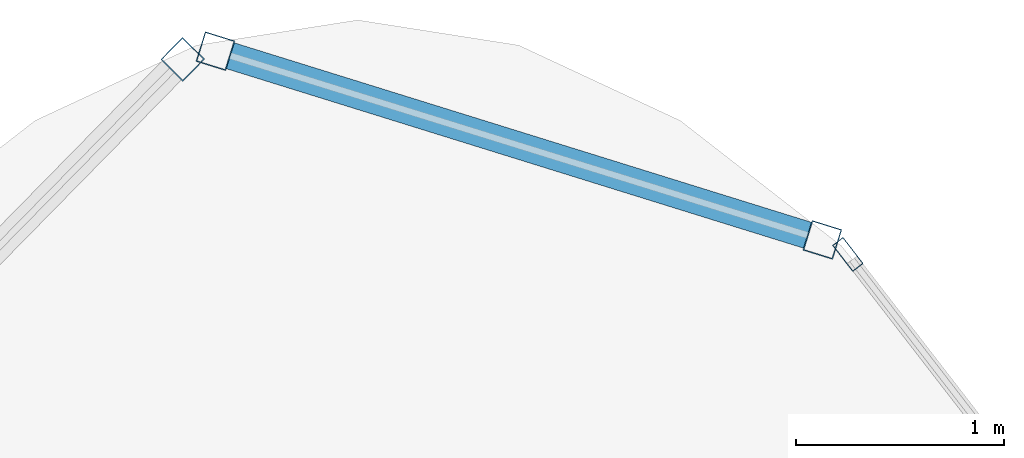
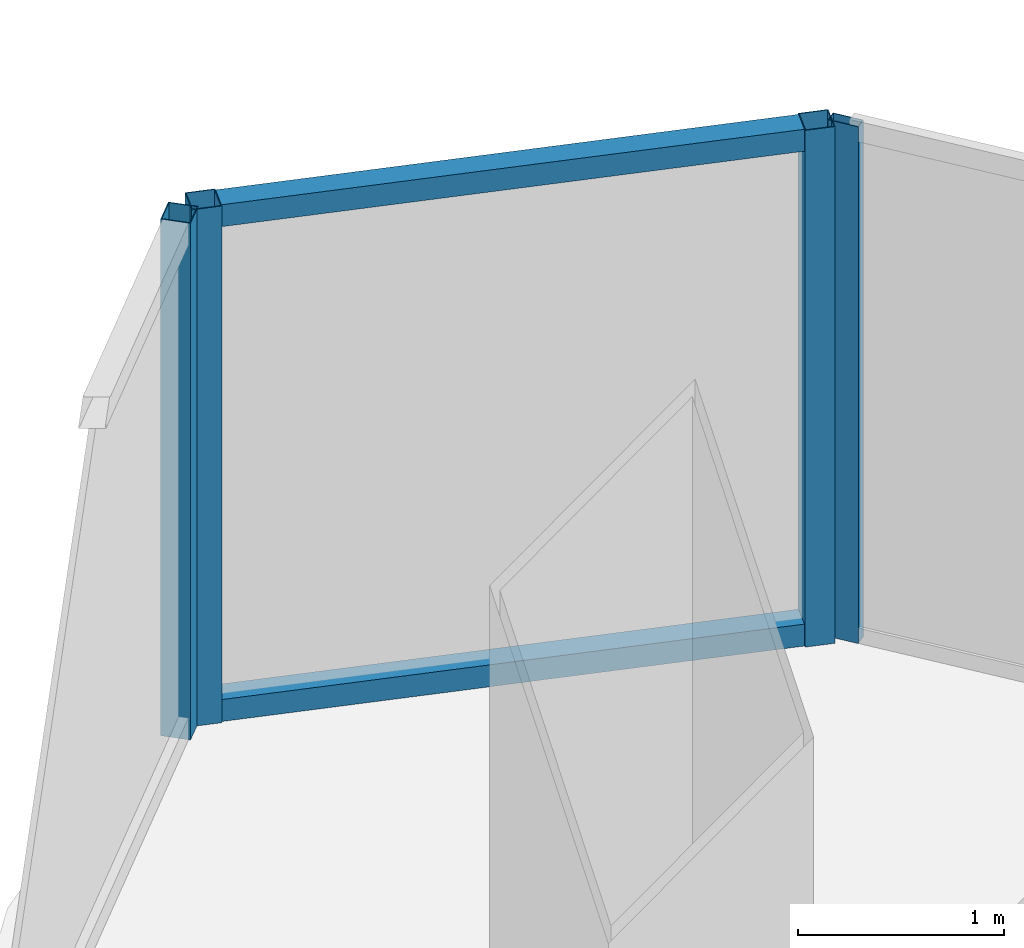
# One storey, part 23 of 28: 6 members, 3 elements without a shape of their own.
"""IFC4 building model written with IfcOpenShell, lengths in metres."""

from ifc_helpers import new_model, si_unit, direction, frame, origin, origin_2d, place, context, subcontext, project, spatial, hollow_rectangle, extrude, material, layer, layer_set, material_profile, profile_set, type_object, element, aggregate, save


model = new_model("IFC4")

# Units and contexts
model_context = context("Model", 3, precision=1e-05, world=origin(), true_north=direction((0.0, 1.0)))
body_context = subcontext(model_context, "Body", "Model", "MODEL_VIEW")
ifc_project = project(units=[si_unit("LENGTHUNIT", "METRE"), si_unit("AREAUNIT", "SQUARE_METRE"), si_unit("VOLUMEUNIT", "CUBIC_METRE"), si_unit("PLANEANGLEUNIT", "RADIAN"), si_unit("MASSUNIT", "GRAM", prefix="KILO")], contexts=[model_context])

# Site, building, storey
site_placement = place(None, origin())
site = spatial("IfcSite", under=ifc_project, at=site_placement, CompositionType="ELEMENT")
building_placement = place(site_placement, origin())
building = spatial("IfcBuilding", under=site, at=building_placement, Name="Orvanel Arch Residences", CompositionType="ELEMENT")
storey_placement = place(building_placement, frame((0.0, 0.0, 263.449951171875)))
storey = spatial("IfcBuildingStorey", under=building, at=storey_placement, Name="L75", CompositionType="ELEMENT", Elevation=263.449951171875)

# Curtain wall, members
ifc_material = material(Name="Bronze-anodised aluminium AA6063-T6", Category="aluminium")
ifc_layer_1 = layer(ifc_material, 0.18994140625)
ifc_layer_set_1 = layer_set([ifc_layer_1], Name="Bronze-anodised aluminium AA6063-T6")
curtain_wall_type_1 = type_object("IfcCurtainWallType", Name="CW5-CRN-SYS", PredefinedType="NOTDEFINED", material=ifc_layer_set_1)
curtain_wall_1_placement = place(storey_placement, origin())
curtain_wall_1 = element("IfcCurtainWall", 1, at=curtain_wall_1_placement, inside=storey, type_object=curtain_wall_type_1, Name="L75 CW5-CRN-SYS Unitised Curtain Wall", PredefinedType="NOTDEFINED")
ifc_material_profile_1 = material_profile(ifc_material, hollow_rectangle(XDim=0.14990234375, YDim=0.14990234375, WallThickness=0.0048828125, at=origin_2d()), Name="ALU150x150x5")
ifc_profile_set_1 = profile_set([ifc_material_profile_1], Name="Bronze-anodised aluminium AA6063-T6")
member_type_1 = type_object("IfcMemberType", Name="MUL-150x150", PredefinedType="MULLION", material=ifc_profile_set_1)
member_1_placement = place(storey_placement, frame((35.2294921875, 43.6591796875, 0.0), z_axis=(0.0, 0.0, 1.0), x_axis=(-0.296939890194, -0.95489617321, 0.0)))
member_1 = element("IfcMember", 2, at=member_1_placement, type_object=member_type_1, Name="CW-S5 mullion 1", PredefinedType="MULLION", context=body_context, shape_type="SweptSolid", body=[
    extrude(hollow_rectangle(XDim=0.14990234375, YDim=0.14990234375, WallThickness=0.0048828125, at=origin_2d()), origin(), (0.0, 0.0, 1.0), 3.06005859375),
])
member_2_placement = place(storey_placement, frame((32.317626953125, 44.564697265625, 0.0), z_axis=(0.0, 0.0, 1.0), x_axis=(-0.296939890194, -0.95489617321, 0.0)))
member_2 = element("IfcMember", 3, at=member_2_placement, type_object=member_type_1, Name="CW-S5 mullion 2", PredefinedType="MULLION", context=body_context, shape_type="SweptSolid", body=[
    extrude(hollow_rectangle(XDim=0.14990234375, YDim=0.14990234375, WallThickness=0.0048828125, at=origin_2d()), origin(), (0.0, 0.0, 1.0), 3.06005859375),
])

# Curtain wall, member
curtain_wall_2_placement = place(storey_placement, origin())
curtain_wall_2 = element("IfcCurtainWall", 4, at=curtain_wall_2_placement, inside=storey, type_object=curtain_wall_type_1, Name="L75 CW5-CRN-SYS Unitised Curtain Wall", PredefinedType="NOTDEFINED")
member_3_placement = place(storey_placement, frame((32.160400390625, 44.525390625, 0.0), z_axis=(0.0, 0.0, 1.0), x_axis=(0.713621357138, -0.700531625722, 0.0)))
member_3 = element("IfcMember", 5, at=member_3_placement, type_object=member_type_1, Name="CW-S5 mullion 1", PredefinedType="MULLION", context=body_context, shape_type="SweptSolid", body=[
    extrude(hollow_rectangle(XDim=0.14990234375, YDim=0.14990234375, WallThickness=0.0048828125, at=origin_2d()), origin(), (0.0, 0.0, 1.0), 3.06005859375),
])
aggregate(curtain_wall_2, [member_3])

ifc_layer_2 = layer(ifc_material, 0.175048828125)
ifc_layer_set_2 = layer_set([ifc_layer_2], Name="Bronze-anodised aluminium AA6063-T6")
curtain_wall_type_2 = type_object("IfcCurtainWallType", Name="CW4-HI-SYS", PredefinedType="NOTDEFINED", material=ifc_layer_set_2)
curtain_wall_3_placement = place(storey_placement, origin())
curtain_wall_3 = element("IfcCurtainWall", 6, at=curtain_wall_3_placement, inside=storey, type_object=curtain_wall_type_2, Name="L75 CW4-HI-SYS Unitised Curtain Wall", PredefinedType="NOTDEFINED")
ifc_material_profile_2 = material_profile(ifc_material, hollow_rectangle(XDim=0.06494140625, YDim=0.159912109375, WallThickness=0.00390625, at=origin_2d()), Name="ALU160x65x4")
ifc_profile_set_2 = profile_set([ifc_material_profile_2], Name="Bronze-anodised aluminium AA6063-T6")
member_type_2 = type_object("IfcMemberType", Name="MUL-160x65", PredefinedType="MULLION", material=ifc_profile_set_2)
member_4_placement = place(storey_placement, frame((35.351806640625, 43.58935546875, 0.0), z_axis=(0.0, 0.0, 1.0), x_axis=(-0.791176992709, -0.611587251509, 0.0)))
member_4 = element("IfcMember", 7, at=member_4_placement, type_object=member_type_2, Name="CW-S4 mullion 3", PredefinedType="MULLION", context=body_context, shape_type="SweptSolid", body=[
    extrude(hollow_rectangle(XDim=0.06494140625, YDim=0.159912109375, WallThickness=0.00390625, at=origin_2d()), origin(), (0.0, 0.0, 1.0), 3.06005859375),
])
aggregate(curtain_wall_3, [member_4])

# Member
ifc_material_profile_3 = material_profile(ifc_material, hollow_rectangle(XDim=0.1298828125, YDim=0.1298828125, WallThickness=0.00439453125, at=origin_2d()), Name="ALU130x130x4.5")
ifc_profile_set_3 = profile_set([ifc_material_profile_3], Name="Bronze-anodised aluminium AA6063-T6")
member_type_3 = type_object("IfcMemberType", Name="TRN-130x130", PredefinedType="USERDEFINED", material=ifc_profile_set_3)
member_5_placement = place(storey_placement, frame((35.15771484375, 43.681640625, 0.06494140625), z_axis=(-0.954904535486, 0.296912997542, 0.0), x_axis=(-0.296912997542, -0.954904535486, 0.0)))
member_5 = element("IfcMember", 8, at=member_5_placement, type_object=member_type_3, Name="CW-S5 transom 1.1", ObjectType="TRANSOM", PredefinedType="USERDEFINED", context=body_context, shape_type="SweptSolid", body=[
    extrude(hollow_rectangle(XDim=0.1298828125, YDim=0.1298828125, WallThickness=0.00439453125, at=origin_2d()), origin(), (0.0, 0.0, 1.0), 2.8994140625),
])

member_6_placement = place(storey_placement, frame((35.15771484375, 43.681640625, 2.9951171875), z_axis=(-0.954904535486, 0.296912997542, 0.0), x_axis=(-0.296912997542, -0.954904535486, 0.0)))
member_6 = element("IfcMember", 9, at=member_6_placement, type_object=member_type_3, Name="CW-S5 transom 1.2", ObjectType="TRANSOM", PredefinedType="USERDEFINED", context=body_context, shape_type="SweptSolid", body=[
    extrude(hollow_rectangle(XDim=0.1298828125, YDim=0.1298828125, WallThickness=0.00439453125, at=origin_2d()), origin(), (0.0, 0.0, 1.0), 2.8994140625),
])

aggregate(curtain_wall_1, [member_1, member_2, member_5, member_6])

save(model, "model.ifc")
